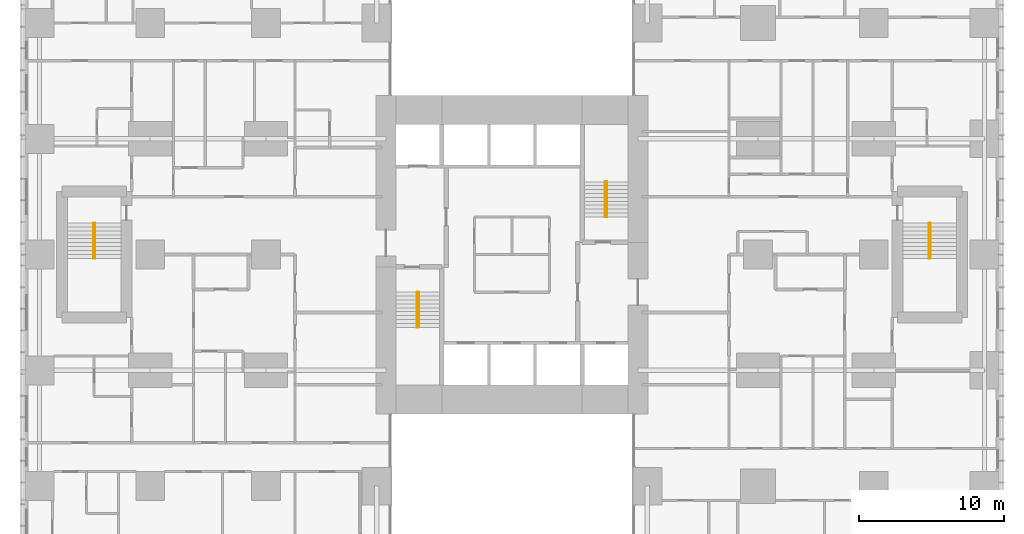
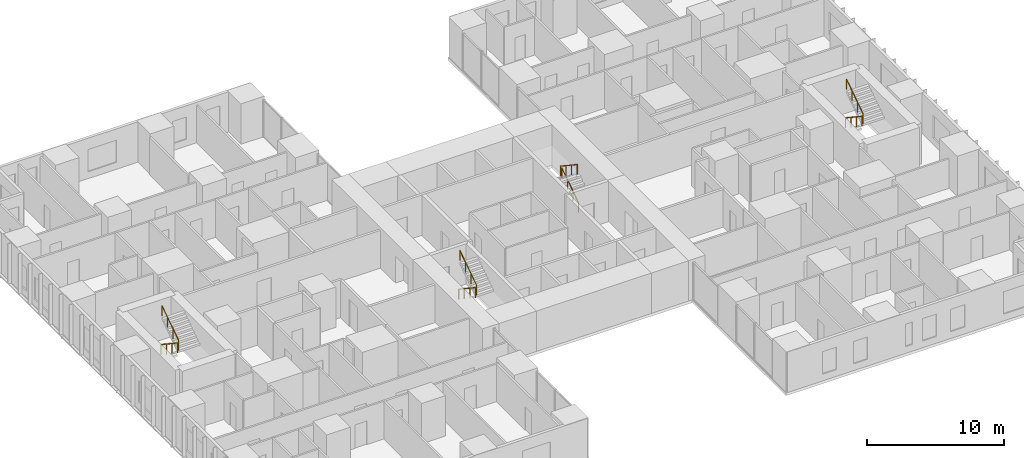
# One storey, part 20 of 20: 8 railings.
"""IFC4 building model written with IfcOpenShell, lengths in metres."""

from ifc_helpers import new_model, si_unit, direction, frame, origin, origin_2d, place, context, subcontext, project, spatial, circle, extrude, material, type_object, element, save


model = new_model("IFC4")

# Units and contexts
model_context = context("Model", 3, precision=1e-05, world=origin(), true_north=direction((0.0, 1.0)))
body_context = subcontext(model_context, "Body", "Model", "MODEL_VIEW")
ifc_project = project(units=[si_unit("LENGTHUNIT", "METRE"), si_unit("AREAUNIT", "SQUARE_METRE"), si_unit("VOLUMEUNIT", "CUBIC_METRE"), si_unit("PLANEANGLEUNIT", "RADIAN"), si_unit("MASSUNIT", "GRAM", prefix="KILO")], contexts=[model_context])

# Site, building, storey
site_placement = place(None, origin())
site = spatial("IfcSite", under=ifc_project, at=site_placement, CompositionType="ELEMENT")
building_placement = place(site_placement, origin())
building = spatial("IfcBuilding", under=site, at=building_placement, Name="Cleftline Residences", CompositionType="ELEMENT")
storey_placement = place(building_placement, frame((0.0, 0.0, 76.39990234375)))
storey = spatial("IfcBuildingStorey", under=building, at=storey_placement, Name="L19", CompositionType="ELEMENT", Elevation=76.39990234375)

# Railings
ifc_material = material(Name="Stainless steel", Category="steel")
railing_type = type_object("IfcRailingType", Name="HANDRAIL 900", PredefinedType="HANDRAIL", material=ifc_material)
railing_1_placement = place(storey_placement, frame((26.449951171875, 21.39990234375, 0.18017578125)))
element("IfcRailing", 1, at=railing_1_placement, inside=storey, type_object=railing_type, Name="Stair handrail", PredefinedType="HANDRAIL", context=body_context, shape_type="SweptSolid", body=[
    extrude(circle(Radius=0.02392578125, at=origin_2d()), frame((0.0, 0.0, 0.8759765625), z_axis=(0.0, -0.832063155534, 0.554680903946), x_axis=(1.0, 0.0, 0.0)), (0.0, 0.0, 1.0), 2.92041015625),
    extrude(circle(Radius=0.02099609375, at=origin_2d()), origin(), (0.0, 0.0, 1.0), 0.851806640625),
    extrude(circle(Radius=0.02099609375, at=origin_2d()), frame((0.0, -0.81005859375, 0.5400390625)), (0.0, 0.0, 1.0), 0.851806640625),
    extrude(circle(Radius=0.02099609375, at=origin_2d()), frame((0.0, -1.619873046875, 1.079833984375)), (0.0, 0.0, 1.0), 0.851806640625),
    extrude(circle(Radius=0.02099609375, at=origin_2d()), frame((0.0, -2.429931640625, 1.619873046875)), (0.0, 0.0, 1.0), 0.851806640625),
])
railing_2_placement = place(storey_placement, frame((26.550048828125, 18.969970703125, 1.97998046875)))
element("IfcRailing", 2, at=railing_2_placement, inside=storey, type_object=railing_type, Name="Stair handrail", PredefinedType="HANDRAIL", context=body_context, shape_type="SweptSolid", body=[
    extrude(circle(Radius=0.02392578125, at=origin_2d()), frame((0.0, 0.0, 0.8759765625), z_axis=(0.0, 0.832024571796, 0.554738778101), x_axis=(-1.0, 0.0, 0.0)), (0.0, 0.0, 1.0), 2.92041015625),
    extrude(circle(Radius=0.02099609375, at=origin_2d()), origin(), (0.0, 0.0, 1.0), 0.851806640625),
    extrude(circle(Radius=0.02099609375, at=origin_2d()), frame((0.0, 0.81005859375, 0.5400390625)), (0.0, 0.0, 1.0), 0.851806640625),
    extrude(circle(Radius=0.02099609375, at=origin_2d()), frame((0.0, 1.619873046875, 1.080078125)), (0.0, 0.0, 1.0), 0.851806640625),
    extrude(circle(Radius=0.02099609375, at=origin_2d()), frame((0.0, 2.429931640625, 1.6201171875)), (0.0, 0.0, 1.0), 0.851806640625),
])
railing_3_placement = place(storey_placement, frame((39.550048828125, 26.60009765625, 0.18017578125)))
element("IfcRailing", 3, at=railing_3_placement, inside=storey, type_object=railing_type, Name="Stair handrail", PredefinedType="HANDRAIL", context=body_context, shape_type="SweptSolid", body=[
    extrude(circle(Radius=0.02392578125, at=origin_2d()), frame((0.0, 0.0, 0.8759765625), z_axis=(0.0, 0.832063155534, 0.554680903946), x_axis=(-1.0, 0.0, 0.0)), (0.0, 0.0, 1.0), 2.92041015625),
    extrude(circle(Radius=0.02099609375, at=origin_2d()), origin(), (0.0, 0.0, 1.0), 0.851806640625),
    extrude(circle(Radius=0.02099609375, at=origin_2d()), frame((0.0, 0.81005859375, 0.5400390625)), (0.0, 0.0, 1.0), 0.851806640625),
    extrude(circle(Radius=0.02099609375, at=origin_2d()), frame((0.0, 1.619873046875, 1.079833984375)), (0.0, 0.0, 1.0), 0.851806640625),
    extrude(circle(Radius=0.02099609375, at=origin_2d()), frame((0.0, 2.429931640625, 1.619873046875)), (0.0, 0.0, 1.0), 0.851806640625),
])
railing_4_placement = place(storey_placement, frame((39.449951171875, 29.030029296875, 1.97998046875)))
element("IfcRailing", 4, at=railing_4_placement, inside=storey, type_object=railing_type, Name="Stair handrail", PredefinedType="HANDRAIL", context=body_context, shape_type="SweptSolid", body=[
    extrude(circle(Radius=0.02392578125, at=origin_2d()), frame((0.0, 0.0, 0.8759765625), z_axis=(0.0, -0.832024571796, 0.554738778101), x_axis=(1.0, 0.0, 0.0)), (0.0, 0.0, 1.0), 2.92041015625),
    extrude(circle(Radius=0.02099609375, at=origin_2d()), origin(), (0.0, 0.0, 1.0), 0.851806640625),
    extrude(circle(Radius=0.02099609375, at=origin_2d()), frame((0.0, -0.81005859375, 0.5400390625)), (0.0, 0.0, 1.0), 0.851806640625),
    extrude(circle(Radius=0.02099609375, at=origin_2d()), frame((0.0, -1.619873046875, 1.080078125)), (0.0, 0.0, 1.0), 0.851806640625),
    extrude(circle(Radius=0.02099609375, at=origin_2d()), frame((0.0, -2.429931640625, 1.6201171875)), (0.0, 0.0, 1.0), 0.851806640625),
])
railing_5_placement = place(storey_placement, frame((61.824951171875, 26.175048828125, 0.18017578125)))
element("IfcRailing", 5, at=railing_5_placement, inside=storey, type_object=railing_type, Name="Stair handrail", PredefinedType="HANDRAIL", context=body_context, shape_type="SweptSolid", body=[
    extrude(circle(Radius=0.02392578125, at=origin_2d()), frame((0.0, 0.0, 0.8759765625), z_axis=(0.0, -0.832063155534, 0.554680903946), x_axis=(1.0, 0.0, 0.0)), (0.0, 0.0, 1.0), 2.92041015625),
    extrude(circle(Radius=0.02099609375, at=origin_2d()), origin(), (0.0, 0.0, 1.0), 0.851806640625),
    extrude(circle(Radius=0.02099609375, at=origin_2d()), frame((0.0, -0.81005859375, 0.5400390625)), (0.0, 0.0, 1.0), 0.851806640625),
    extrude(circle(Radius=0.02099609375, at=origin_2d()), frame((0.0, -1.619873046875, 1.079833984375)), (0.0, 0.0, 1.0), 0.851806640625),
    extrude(circle(Radius=0.02099609375, at=origin_2d()), frame((0.0, -2.429931640625, 1.619873046875)), (0.0, 0.0, 1.0), 0.851806640625),
])
railing_6_placement = place(storey_placement, frame((61.925048828125, 23.7451171875, 1.97998046875)))
element("IfcRailing", 6, at=railing_6_placement, inside=storey, type_object=railing_type, Name="Stair handrail", PredefinedType="HANDRAIL", context=body_context, shape_type="SweptSolid", body=[
    extrude(circle(Radius=0.02392578125, at=origin_2d()), frame((0.0, 0.0, 0.8759765625), z_axis=(0.0, 0.832024571796, 0.554738778101), x_axis=(-1.0, 0.0, 0.0)), (0.0, 0.0, 1.0), 2.92041015625),
    extrude(circle(Radius=0.02099609375, at=origin_2d()), origin(), (0.0, 0.0, 1.0), 0.851806640625),
    extrude(circle(Radius=0.02099609375, at=origin_2d()), frame((0.0, 0.81005859375, 0.5400390625)), (0.0, 0.0, 1.0), 0.851806640625),
    extrude(circle(Radius=0.02099609375, at=origin_2d()), frame((0.0, 1.619873046875, 1.080078125)), (0.0, 0.0, 1.0), 0.851806640625),
    extrude(circle(Radius=0.02099609375, at=origin_2d()), frame((0.0, 2.429931640625, 1.6201171875)), (0.0, 0.0, 1.0), 0.851806640625),
])
railing_7_placement = place(storey_placement, frame((4.074951171875, 26.175048828125, 0.18017578125)))
element("IfcRailing", 7, at=railing_7_placement, inside=storey, type_object=railing_type, Name="Stair handrail", PredefinedType="HANDRAIL", context=body_context, shape_type="SweptSolid", body=[
    extrude(circle(Radius=0.02392578125, at=origin_2d()), frame((0.0, 0.0, 0.8759765625), z_axis=(0.0, -0.832063155534, 0.554680903946), x_axis=(1.0, 0.0, 0.0)), (0.0, 0.0, 1.0), 2.92041015625),
    extrude(circle(Radius=0.02099609375, at=origin_2d()), origin(), (0.0, 0.0, 1.0), 0.851806640625),
    extrude(circle(Radius=0.02099609375, at=origin_2d()), frame((0.0, -0.81005859375, 0.5400390625)), (0.0, 0.0, 1.0), 0.851806640625),
    extrude(circle(Radius=0.02099609375, at=origin_2d()), frame((0.0, -1.619873046875, 1.079833984375)), (0.0, 0.0, 1.0), 0.851806640625),
    extrude(circle(Radius=0.02099609375, at=origin_2d()), frame((0.0, -2.429931640625, 1.619873046875)), (0.0, 0.0, 1.0), 0.851806640625),
])
railing_8_placement = place(storey_placement, frame((4.175048828125, 23.7451171875, 1.97998046875)))
element("IfcRailing", 8, at=railing_8_placement, inside=storey, type_object=railing_type, Name="Stair handrail", PredefinedType="HANDRAIL", context=body_context, shape_type="SweptSolid", body=[
    extrude(circle(Radius=0.02392578125, at=origin_2d()), frame((0.0, 0.0, 0.8759765625), z_axis=(0.0, 0.832024571796, 0.554738778101), x_axis=(-1.0, 0.0, 0.0)), (0.0, 0.0, 1.0), 2.92041015625),
    extrude(circle(Radius=0.02099609375, at=origin_2d()), origin(), (0.0, 0.0, 1.0), 0.851806640625),
    extrude(circle(Radius=0.02099609375, at=origin_2d()), frame((0.0, 0.81005859375, 0.5400390625)), (0.0, 0.0, 1.0), 0.851806640625),
    extrude(circle(Radius=0.02099609375, at=origin_2d()), frame((0.0, 1.619873046875, 1.080078125)), (0.0, 0.0, 1.0), 0.851806640625),
    extrude(circle(Radius=0.02099609375, at=origin_2d()), frame((0.0, 2.429931640625, 1.6201171875)), (0.0, 0.0, 1.0), 0.851806640625),
])

save(model, "model.ifc")
